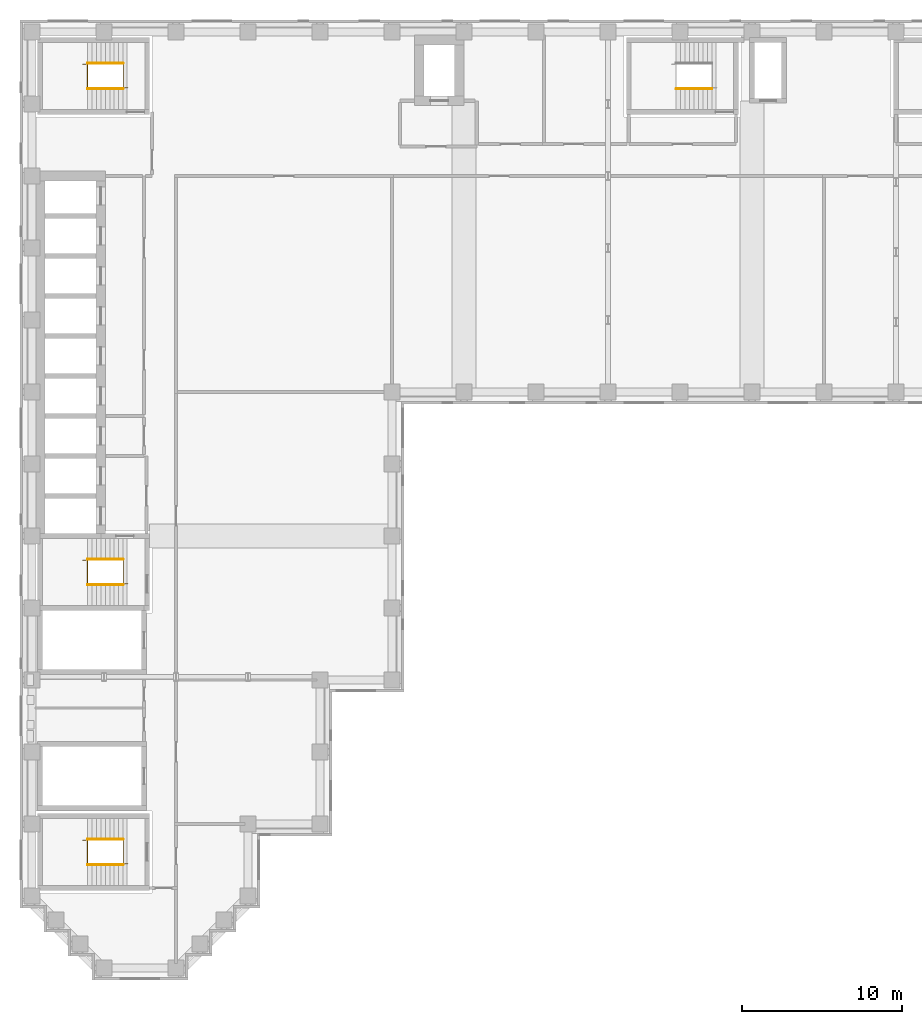
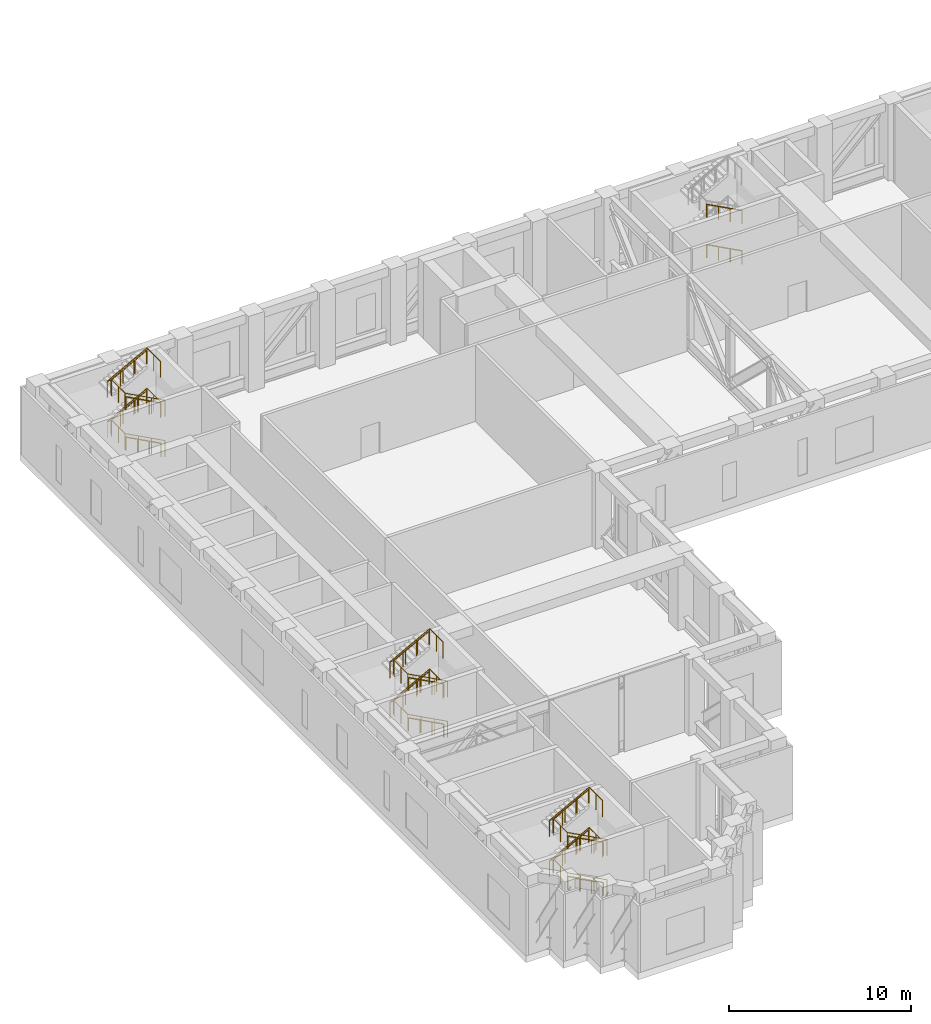
# One storey, part 12 of 14: 17 railings.
"""IFC4 building model written with IfcOpenShell, lengths in metres."""

from ifc_helpers import new_model, si_unit, direction, frame, origin, origin_2d, place, context, subcontext, project, spatial, circle, extrude, material, type_object, element, save


model = new_model("IFC4")

# Units and contexts
model_context = context("Model", 3, precision=1e-05, world=origin(), true_north=direction((0.0, 1.0)))
body_context = subcontext(model_context, "Body", "Model", "MODEL_VIEW")
ifc_project = project(units=[si_unit("LENGTHUNIT", "METRE"), si_unit("AREAUNIT", "SQUARE_METRE"), si_unit("VOLUMEUNIT", "CUBIC_METRE"), si_unit("PLANEANGLEUNIT", "RADIAN"), si_unit("MASSUNIT", "GRAM", prefix="KILO")], contexts=[model_context])

# Site, building, storey
site_placement = place(None, origin())
site = spatial("IfcSite", under=ifc_project, at=site_placement, CompositionType="ELEMENT")
building_placement = place(site_placement, origin())
building = spatial("IfcBuilding", under=site, at=building_placement, Name="Firuza Court", CompositionType="ELEMENT")
storey_placement = place(building_placement, frame((0.0, 0.0, 173.60009765625)))
storey = spatial("IfcBuildingStorey", under=building, at=storey_placement, Name="L44", CompositionType="ELEMENT", Elevation=173.60009765625)

# Railings
ifc_material_1 = material(Name="Steel S355", Category="steel")
railing_type_1 = type_object("IfcRailingType", Name="Handrail 900", PredefinedType="HANDRAIL", material=ifc_material_1)
for number, where, name in (
    (1, (42.5, 54.949951171875, 0.14990234375), "Handrail S1 flight 1"),
    (2, (42.5, 54.949951171875, 2.849853515625), "Handrail S1 flight 3"),
    (3, (5.699951171875, 23.949951171875, 0.14990234375), "Handrail S2 flight 1"),
):
    element("IfcRailing", number, at=place(storey_placement, frame(where)), inside=storey, type_object=railing_type_1, Name=name, PredefinedType="HANDRAIL", context=body_context, shape_type="SweptSolid", body=[
        extrude(circle(Radius=0.02490234375, at=origin_2d()), frame((0.0, 0.0, 0.875), z_axis=(-0.881487111273, 0.0, 0.472208081951), x_axis=(0.0, -1.0, 0.0)), (0.0, 0.0, 1.0), 2.541259765625),
        extrude(circle(Radius=0.02001953125, at=origin_2d()), origin(), (0.0, 0.0, 1.0), 0.849853515625),
        extrude(circle(Radius=0.02001953125, at=origin_2d()), frame((-0.74658203125, 0.0, 0.39990234375)), (0.0, 0.0, 1.0), 0.849853515625),
        extrude(circle(Radius=0.02001953125, at=origin_2d()), frame((-1.493408203125, 0.0, 0.800048828125)), (0.0, 0.0, 1.0), 0.849853515625),
        extrude(circle(Radius=0.02001953125, at=origin_2d()), frame((-2.239990234375, 0.0, 1.199951171875)), (0.0, 0.0, 1.0), 0.849853515625),
    ])
railing_1_placement = place(storey_placement, frame((3.4599609375, 25.550048828125, 1.5)))
element("IfcRailing", 4, at=railing_1_placement, inside=storey, type_object=railing_type_1, Name="Handrail S2 flight 2", PredefinedType="HANDRAIL", context=body_context, shape_type="SweptSolid", body=[
    extrude(circle(Radius=0.02490234375, at=origin_2d()), frame((0.0, 0.0, 0.875), z_axis=(0.881487111273, 0.0, 0.472208081951), x_axis=(0.0, 1.0, 0.0)), (0.0, 0.0, 1.0), 2.541259765625),
    extrude(circle(Radius=0.02001953125, at=origin_2d()), origin(), (0.0, 0.0, 1.0), 0.849853515625),
    extrude(circle(Radius=0.02001953125, at=origin_2d()), frame((0.74658203125, 0.0, 0.39990234375)), (0.0, 0.0, 1.0), 0.849853515625),
    extrude(circle(Radius=0.02001953125, at=origin_2d()), frame((1.493408203125, 0.0, 0.800048828125)), (0.0, 0.0, 1.0), 0.849853515625),
    extrude(circle(Radius=0.02001953125, at=origin_2d()), frame((2.239990234375, 0.0, 1.199951171875)), (0.0, 0.0, 1.0), 0.849853515625),
])
railing_2_placement = place(storey_placement, frame((5.699951171875, 23.949951171875, 2.849853515625)))
element("IfcRailing", 5, at=railing_2_placement, inside=storey, type_object=railing_type_1, Name="Handrail S2 flight 3", PredefinedType="HANDRAIL", context=body_context, shape_type="SweptSolid", body=[
    extrude(circle(Radius=0.02490234375, at=origin_2d()), frame((0.0, 0.0, 0.875), z_axis=(-0.881487111273, 0.0, 0.472208081951), x_axis=(0.0, -1.0, 0.0)), (0.0, 0.0, 1.0), 2.541259765625),
    extrude(circle(Radius=0.02001953125, at=origin_2d()), origin(), (0.0, 0.0, 1.0), 0.849853515625),
    extrude(circle(Radius=0.02001953125, at=origin_2d()), frame((-0.74658203125, 0.0, 0.39990234375)), (0.0, 0.0, 1.0), 0.849853515625),
    extrude(circle(Radius=0.02001953125, at=origin_2d()), frame((-1.493408203125, 0.0, 0.800048828125)), (0.0, 0.0, 1.0), 0.849853515625),
    extrude(circle(Radius=0.02001953125, at=origin_2d()), frame((-2.239990234375, 0.0, 1.199951171875)), (0.0, 0.0, 1.0), 0.849853515625),
])
railing_3_placement = place(storey_placement, frame((3.4599609375, 25.550048828125, 4.199951171875)))
element("IfcRailing", 6, at=railing_3_placement, inside=storey, type_object=railing_type_1, Name="Handrail S2 flight 4", PredefinedType="HANDRAIL", context=body_context, shape_type="SweptSolid", body=[
    extrude(circle(Radius=0.02490234375, at=origin_2d()), frame((0.0, 0.0, 0.875), z_axis=(0.881487111273, 0.0, 0.472208081951), x_axis=(0.0, 1.0, 0.0)), (0.0, 0.0, 1.0), 2.541259765625),
    extrude(circle(Radius=0.02001953125, at=origin_2d()), origin(), (0.0, 0.0, 1.0), 0.849853515625),
    extrude(circle(Radius=0.02001953125, at=origin_2d()), frame((0.74658203125, 0.0, 0.39990234375)), (0.0, 0.0, 1.0), 0.849853515625),
    extrude(circle(Radius=0.02001953125, at=origin_2d()), frame((1.493408203125, 0.0, 0.800048828125)), (0.0, 0.0, 1.0), 0.849853515625),
    extrude(circle(Radius=0.02001953125, at=origin_2d()), frame((2.239990234375, 0.0, 1.199951171875)), (0.0, 0.0, 1.0), 0.849853515625),
])
railing_4_placement = place(storey_placement, frame((5.699951171875, 54.949951171875, 0.14990234375)))
element("IfcRailing", 7, at=railing_4_placement, inside=storey, type_object=railing_type_1, Name="Handrail S3 flight 1", PredefinedType="HANDRAIL", context=body_context, shape_type="SweptSolid", body=[
    extrude(circle(Radius=0.02490234375, at=origin_2d()), frame((0.0, 0.0, 0.875), z_axis=(-0.881487111273, 0.0, 0.472208081951), x_axis=(0.0, -1.0, 0.0)), (0.0, 0.0, 1.0), 2.541259765625),
    extrude(circle(Radius=0.02001953125, at=origin_2d()), origin(), (0.0, 0.0, 1.0), 0.849853515625),
    extrude(circle(Radius=0.02001953125, at=origin_2d()), frame((-0.74658203125, 0.0, 0.39990234375)), (0.0, 0.0, 1.0), 0.849853515625),
    extrude(circle(Radius=0.02001953125, at=origin_2d()), frame((-1.493408203125, 0.0, 0.800048828125)), (0.0, 0.0, 1.0), 0.849853515625),
    extrude(circle(Radius=0.02001953125, at=origin_2d()), frame((-2.239990234375, 0.0, 1.199951171875)), (0.0, 0.0, 1.0), 0.849853515625),
])
railing_5_placement = place(storey_placement, frame((3.4599609375, 56.550048828125, 1.5)))
element("IfcRailing", 8, at=railing_5_placement, inside=storey, type_object=railing_type_1, Name="Handrail S3 flight 2", PredefinedType="HANDRAIL", context=body_context, shape_type="SweptSolid", body=[
    extrude(circle(Radius=0.02490234375, at=origin_2d()), frame((0.0, 0.0, 0.875), z_axis=(0.881487111273, 0.0, 0.472208081951), x_axis=(0.0, 1.0, 0.0)), (0.0, 0.0, 1.0), 2.541259765625),
    extrude(circle(Radius=0.02001953125, at=origin_2d()), origin(), (0.0, 0.0, 1.0), 0.849853515625),
    extrude(circle(Radius=0.02001953125, at=origin_2d()), frame((0.74658203125, 0.0, 0.39990234375)), (0.0, 0.0, 1.0), 0.849853515625),
    extrude(circle(Radius=0.02001953125, at=origin_2d()), frame((1.493408203125, 0.0, 0.800048828125)), (0.0, 0.0, 1.0), 0.849853515625),
    extrude(circle(Radius=0.02001953125, at=origin_2d()), frame((2.239990234375, 0.0, 1.199951171875)), (0.0, 0.0, 1.0), 0.849853515625),
])
railing_6_placement = place(storey_placement, frame((5.699951171875, 54.949951171875, 2.849853515625)))
element("IfcRailing", 9, at=railing_6_placement, inside=storey, type_object=railing_type_1, Name="Handrail S3 flight 3", PredefinedType="HANDRAIL", context=body_context, shape_type="SweptSolid", body=[
    extrude(circle(Radius=0.02490234375, at=origin_2d()), frame((0.0, 0.0, 0.875), z_axis=(-0.881487111273, 0.0, 0.472208081951), x_axis=(0.0, -1.0, 0.0)), (0.0, 0.0, 1.0), 2.541259765625),
    extrude(circle(Radius=0.02001953125, at=origin_2d()), origin(), (0.0, 0.0, 1.0), 0.849853515625),
    extrude(circle(Radius=0.02001953125, at=origin_2d()), frame((-0.74658203125, 0.0, 0.39990234375)), (0.0, 0.0, 1.0), 0.849853515625),
    extrude(circle(Radius=0.02001953125, at=origin_2d()), frame((-1.493408203125, 0.0, 0.800048828125)), (0.0, 0.0, 1.0), 0.849853515625),
    extrude(circle(Radius=0.02001953125, at=origin_2d()), frame((-2.239990234375, 0.0, 1.199951171875)), (0.0, 0.0, 1.0), 0.849853515625),
])
railing_7_placement = place(storey_placement, frame((3.4599609375, 56.550048828125, 4.199951171875)))
element("IfcRailing", 10, at=railing_7_placement, inside=storey, type_object=railing_type_1, Name="Handrail S3 flight 4", PredefinedType="HANDRAIL", context=body_context, shape_type="SweptSolid", body=[
    extrude(circle(Radius=0.02490234375, at=origin_2d()), frame((0.0, 0.0, 0.875), z_axis=(0.881487111273, 0.0, 0.472208081951), x_axis=(0.0, 1.0, 0.0)), (0.0, 0.0, 1.0), 2.541259765625),
    extrude(circle(Radius=0.02001953125, at=origin_2d()), origin(), (0.0, 0.0, 1.0), 0.849853515625),
    extrude(circle(Radius=0.02001953125, at=origin_2d()), frame((0.74658203125, 0.0, 0.39990234375)), (0.0, 0.0, 1.0), 0.849853515625),
    extrude(circle(Radius=0.02001953125, at=origin_2d()), frame((1.493408203125, 0.0, 0.800048828125)), (0.0, 0.0, 1.0), 0.849853515625),
    extrude(circle(Radius=0.02001953125, at=origin_2d()), frame((2.239990234375, 0.0, 1.199951171875)), (0.0, 0.0, 1.0), 0.849853515625),
])
railing_8_placement = place(storey_placement, frame((5.699951171875, 6.449951171875, 0.14990234375)))
element("IfcRailing", 11, at=railing_8_placement, inside=storey, type_object=railing_type_1, Name="Handrail S5 flight 1", PredefinedType="HANDRAIL", context=body_context, shape_type="SweptSolid", body=[
    extrude(circle(Radius=0.02490234375, at=origin_2d()), frame((0.0, 0.0, 0.875), z_axis=(-0.881487111273, 0.0, 0.472208081951), x_axis=(0.0, -1.0, 0.0)), (0.0, 0.0, 1.0), 2.541259765625),
    extrude(circle(Radius=0.02001953125, at=origin_2d()), origin(), (0.0, 0.0, 1.0), 0.849853515625),
    extrude(circle(Radius=0.02001953125, at=origin_2d()), frame((-0.74658203125, 0.0, 0.39990234375)), (0.0, 0.0, 1.0), 0.849853515625),
    extrude(circle(Radius=0.02001953125, at=origin_2d()), frame((-1.493408203125, 0.0, 0.800048828125)), (0.0, 0.0, 1.0), 0.849853515625),
    extrude(circle(Radius=0.02001953125, at=origin_2d()), frame((-2.239990234375, 0.0, 1.199951171875)), (0.0, 0.0, 1.0), 0.849853515625),
])
railing_9_placement = place(storey_placement, frame((3.4599609375, 8.050048828125, 1.5)))
element("IfcRailing", 12, at=railing_9_placement, inside=storey, type_object=railing_type_1, Name="Handrail S5 flight 2", PredefinedType="HANDRAIL", context=body_context, shape_type="SweptSolid", body=[
    extrude(circle(Radius=0.02490234375, at=origin_2d()), frame((0.0, 0.0, 0.875), z_axis=(0.881487111273, 0.0, 0.472208081951), x_axis=(0.0, 1.0, 0.0)), (0.0, 0.0, 1.0), 2.541259765625),
    extrude(circle(Radius=0.02001953125, at=origin_2d()), origin(), (0.0, 0.0, 1.0), 0.849853515625),
    extrude(circle(Radius=0.02001953125, at=origin_2d()), frame((0.74658203125, 0.0, 0.39990234375)), (0.0, 0.0, 1.0), 0.849853515625),
    extrude(circle(Radius=0.02001953125, at=origin_2d()), frame((1.493408203125, 0.0, 0.800048828125)), (0.0, 0.0, 1.0), 0.849853515625),
    extrude(circle(Radius=0.02001953125, at=origin_2d()), frame((2.239990234375, 0.0, 1.199951171875)), (0.0, 0.0, 1.0), 0.849853515625),
])
railing_10_placement = place(storey_placement, frame((5.699951171875, 6.449951171875, 2.849853515625)))
element("IfcRailing", 13, at=railing_10_placement, inside=storey, type_object=railing_type_1, Name="Handrail S5 flight 3", PredefinedType="HANDRAIL", context=body_context, shape_type="SweptSolid", body=[
    extrude(circle(Radius=0.02490234375, at=origin_2d()), frame((0.0, 0.0, 0.875), z_axis=(-0.881487111273, 0.0, 0.472208081951), x_axis=(0.0, -1.0, 0.0)), (0.0, 0.0, 1.0), 2.541259765625),
    extrude(circle(Radius=0.02001953125, at=origin_2d()), origin(), (0.0, 0.0, 1.0), 0.849853515625),
    extrude(circle(Radius=0.02001953125, at=origin_2d()), frame((-0.74658203125, 0.0, 0.39990234375)), (0.0, 0.0, 1.0), 0.849853515625),
    extrude(circle(Radius=0.02001953125, at=origin_2d()), frame((-1.493408203125, 0.0, 0.800048828125)), (0.0, 0.0, 1.0), 0.849853515625),
    extrude(circle(Radius=0.02001953125, at=origin_2d()), frame((-2.239990234375, 0.0, 1.199951171875)), (0.0, 0.0, 1.0), 0.849853515625),
])
railing_11_placement = place(storey_placement, frame((3.4599609375, 8.050048828125, 4.199951171875)))
element("IfcRailing", 14, at=railing_11_placement, inside=storey, type_object=railing_type_1, Name="Handrail S5 flight 4", PredefinedType="HANDRAIL", context=body_context, shape_type="SweptSolid", body=[
    extrude(circle(Radius=0.02490234375, at=origin_2d()), frame((0.0, 0.0, 0.875), z_axis=(0.881487111273, 0.0, 0.472208081951), x_axis=(0.0, 1.0, 0.0)), (0.0, 0.0, 1.0), 2.541259765625),
    extrude(circle(Radius=0.02001953125, at=origin_2d()), origin(), (0.0, 0.0, 1.0), 0.849853515625),
    extrude(circle(Radius=0.02001953125, at=origin_2d()), frame((0.74658203125, 0.0, 0.39990234375)), (0.0, 0.0, 1.0), 0.849853515625),
    extrude(circle(Radius=0.02001953125, at=origin_2d()), frame((1.493408203125, 0.0, 0.800048828125)), (0.0, 0.0, 1.0), 0.849853515625),
    extrude(circle(Radius=0.02001953125, at=origin_2d()), frame((2.239990234375, 0.0, 1.199951171875)), (0.0, 0.0, 1.0), 0.849853515625),
])
ifc_material_2 = material(Name="Steel S355", Category="steel")
railing_type_2 = type_object("IfcRailingType", Name="Stair guard 1100", PredefinedType="GUARDRAIL", material=ifc_material_2)
railing_12_placement = place(storey_placement, frame((5.97998046875, 24.010009765625, 0.0)))
element("IfcRailing", 15, at=railing_12_placement, inside=storey, type_object=railing_type_2, Name="Stair well guard S2", PredefinedType="GUARDRAIL", context=body_context, shape_type="SweptSolid", body=[
    extrude(circle(Radius=0.02490234375, at=origin_2d()), frame((0.0, 0.0, 1.0751953125), z_axis=(-0.88150282143, 0.0, 0.472178754087), x_axis=(0.0, -1.0, 0.0)), (0.0, 0.0, 1.0), 2.85888671875),
    extrude(circle(Radius=0.02490234375, at=origin_2d()), frame((-2.52001953125, 0.0, 2.4248046875), z_axis=(0.0, 1.0, 0.0), x_axis=(-1.0, 0.0, 0.0)), (0.0, 0.0, 1.0), 1.47998046875),
    extrude(circle(Radius=0.02490234375, at=origin_2d()), frame((-2.52001953125, 1.47998046875, 2.4248046875), z_axis=(-1.0, 0.0, 0.0), x_axis=(0.0, -1.0, 0.0)), (0.0, 0.0, 1.0), 0.280029296875),
    extrude(circle(Radius=0.02490234375, at=origin_2d()), frame((-2.800048828125, 1.47998046875, 2.4248046875), z_axis=(0.881467274426, 0.0, 0.472245110209), x_axis=(0.0, 1.0, 0.0)), (0.0, 0.0, 1.0), 2.85888671875),
    extrude(circle(Radius=0.02490234375, at=origin_2d()), frame((-0.280029296875, 1.47998046875, 3.77490234375), z_axis=(0.0, -1.0, 0.0), x_axis=(1.0, 0.0, 0.0)), (0.0, 0.0, 1.0), 1.47998046875),
    extrude(circle(Radius=0.02490234375, at=origin_2d()), frame((-0.280029296875, 0.0, 3.77490234375), z_axis=(1.0, 0.0, 0.0), x_axis=(0.0, 1.0, 0.0)), (0.0, 0.0, 1.0), 0.280029296875),
    extrude(circle(Radius=0.02490234375, at=origin_2d()), frame((0.0, 0.0, 3.77490234375), z_axis=(-0.88150282143, 0.0, 0.472178754087), x_axis=(0.0, -1.0, 0.0)), (0.0, 0.0, 1.0), 2.85888671875),
    extrude(circle(Radius=0.02490234375, at=origin_2d()), frame((-2.52001953125, 0.0, 5.125), z_axis=(0.0, 1.0, 0.0), x_axis=(-1.0, 0.0, 0.0)), (0.0, 0.0, 1.0), 1.47998046875),
    extrude(circle(Radius=0.02490234375, at=origin_2d()), frame((-2.52001953125, 1.47998046875, 5.125), z_axis=(-1.0, 0.0, 0.0), x_axis=(0.0, -1.0, 0.0)), (0.0, 0.0, 1.0), 0.280029296875),
    extrude(circle(Radius=0.02490234375, at=origin_2d()), frame((-2.800048828125, 1.47998046875, 5.125), z_axis=(0.881467274426, 0.0, 0.472245110209), x_axis=(0.0, 1.0, 0.0)), (0.0, 0.0, 1.0), 2.85888671875),
    extrude(circle(Radius=0.02490234375, at=origin_2d()), frame((-0.280029296875, 1.47998046875, 6.47509765625), z_axis=(0.0, -1.0, 0.0), x_axis=(1.0, 0.0, 0.0)), (0.0, 0.0, 1.0), 1.47998046875),
    extrude(circle(Radius=0.02490234375, at=origin_2d()), origin(), (0.0, 0.0, 1.0), 1.050048828125),
    extrude(circle(Radius=0.02490234375, at=origin_2d()), frame((-0.840087890625, 0.0, 0.449951171875)), (0.0, 0.0, 1.0), 1.050048828125),
    extrude(circle(Radius=0.02490234375, at=origin_2d()), frame((-1.679931640625, 0.0, 0.89990234375)), (0.0, 0.0, 1.0), 1.050048828125),
    extrude(circle(Radius=0.02490234375, at=origin_2d()), frame((-2.52001953125, 0.0, 1.349853515625)), (0.0, 0.0, 1.0), 1.050048828125),
    extrude(circle(Radius=0.02490234375, at=origin_2d()), frame((-2.52001953125, 0.739990234375, 1.349853515625)), (0.0, 0.0, 1.0), 1.050048828125),
    extrude(circle(Radius=0.02490234375, at=origin_2d()), frame((-2.52001953125, 1.47998046875, 1.349853515625)), (0.0, 0.0, 1.0), 1.050048828125),
    extrude(circle(Radius=0.02490234375, at=origin_2d()), frame((-2.800048828125, 1.47998046875, 1.349853515625)), (0.0, 0.0, 1.0), 1.050048828125),
    extrude(circle(Radius=0.02490234375, at=origin_2d()), frame((-1.9599609375, 1.47998046875, 1.7998046875)), (0.0, 0.0, 1.0), 1.050048828125),
    extrude(circle(Radius=0.02490234375, at=origin_2d()), frame((-1.1201171875, 1.47998046875, 2.25)), (0.0, 0.0, 1.0), 1.050048828125),
    extrude(circle(Radius=0.02490234375, at=origin_2d()), frame((-0.280029296875, 1.47998046875, 2.699951171875)), (0.0, 0.0, 1.0), 1.050048828125),
    extrude(circle(Radius=0.02490234375, at=origin_2d()), frame((-0.280029296875, 0.739990234375, 2.699951171875)), (0.0, 0.0, 1.0), 1.050048828125),
    extrude(circle(Radius=0.02490234375, at=origin_2d()), frame((-0.280029296875, 0.0, 2.699951171875)), (0.0, 0.0, 1.0), 1.050048828125),
    extrude(circle(Radius=0.02490234375, at=origin_2d()), frame((0.0, 0.0, 2.699951171875)), (0.0, 0.0, 1.0), 1.050048828125),
    extrude(circle(Radius=0.02490234375, at=origin_2d()), frame((-0.840087890625, 0.0, 3.14990234375)), (0.0, 0.0, 1.0), 1.050048828125),
    extrude(circle(Radius=0.02490234375, at=origin_2d()), frame((-1.679931640625, 0.0, 3.599853515625)), (0.0, 0.0, 1.0), 1.050048828125),
    extrude(circle(Radius=0.02490234375, at=origin_2d()), frame((-2.52001953125, 0.0, 4.0498046875)), (0.0, 0.0, 1.0), 1.050048828125),
    extrude(circle(Radius=0.02490234375, at=origin_2d()), frame((-2.52001953125, 0.739990234375, 4.0498046875)), (0.0, 0.0, 1.0), 1.050048828125),
    extrude(circle(Radius=0.02490234375, at=origin_2d()), frame((-2.52001953125, 1.47998046875, 4.0498046875)), (0.0, 0.0, 1.0), 1.050048828125),
    extrude(circle(Radius=0.02490234375, at=origin_2d()), frame((-2.800048828125, 1.47998046875, 4.0498046875)), (0.0, 0.0, 1.0), 1.050048828125),
    extrude(circle(Radius=0.02490234375, at=origin_2d()), frame((-1.9599609375, 1.47998046875, 4.499755859375)), (0.0, 0.0, 1.0), 1.050048828125),
    extrude(circle(Radius=0.02490234375, at=origin_2d()), frame((-1.1201171875, 1.47998046875, 4.949951171875)), (0.0, 0.0, 1.0), 1.050048828125),
    extrude(circle(Radius=0.02490234375, at=origin_2d()), frame((-0.280029296875, 1.47998046875, 5.39990234375)), (0.0, 0.0, 1.0), 1.050048828125),
    extrude(circle(Radius=0.02490234375, at=origin_2d()), frame((-0.280029296875, 0.739990234375, 5.39990234375)), (0.0, 0.0, 1.0), 1.050048828125),
    extrude(circle(Radius=0.02490234375, at=origin_2d()), frame((-0.280029296875, 0.0, 5.39990234375)), (0.0, 0.0, 1.0), 1.050048828125),
])
railing_13_placement = place(storey_placement, frame((5.97998046875, 55.010009765625, 0.0)))
element("IfcRailing", 16, at=railing_13_placement, inside=storey, type_object=railing_type_2, Name="Stair well guard S3", PredefinedType="GUARDRAIL", context=body_context, shape_type="SweptSolid", body=[
    extrude(circle(Radius=0.02490234375, at=origin_2d()), frame((0.0, 0.0, 1.0751953125), z_axis=(-0.88150282143, 0.0, 0.472178754087), x_axis=(0.0, -1.0, 0.0)), (0.0, 0.0, 1.0), 2.85888671875),
    extrude(circle(Radius=0.02490234375, at=origin_2d()), frame((-2.52001953125, 0.0, 2.4248046875), z_axis=(0.0, 1.0, 0.0), x_axis=(-1.0, 0.0, 0.0)), (0.0, 0.0, 1.0), 1.47998046875),
    extrude(circle(Radius=0.02490234375, at=origin_2d()), frame((-2.52001953125, 1.47998046875, 2.4248046875), z_axis=(-1.0, 0.0, 0.0), x_axis=(0.0, -1.0, 0.0)), (0.0, 0.0, 1.0), 0.280029296875),
    extrude(circle(Radius=0.02490234375, at=origin_2d()), frame((-2.800048828125, 1.47998046875, 2.4248046875), z_axis=(0.881467274426, 0.0, 0.472245110209), x_axis=(0.0, 1.0, 0.0)), (0.0, 0.0, 1.0), 2.85888671875),
    extrude(circle(Radius=0.02490234375, at=origin_2d()), frame((-0.280029296875, 1.47998046875, 3.77490234375), z_axis=(0.0, -1.0, 0.0), x_axis=(1.0, 0.0, 0.0)), (0.0, 0.0, 1.0), 1.47998046875),
    extrude(circle(Radius=0.02490234375, at=origin_2d()), frame((-0.280029296875, 0.0, 3.77490234375), z_axis=(1.0, 0.0, 0.0), x_axis=(0.0, 1.0, 0.0)), (0.0, 0.0, 1.0), 0.280029296875),
    extrude(circle(Radius=0.02490234375, at=origin_2d()), frame((0.0, 0.0, 3.77490234375), z_axis=(-0.88150282143, 0.0, 0.472178754087), x_axis=(0.0, -1.0, 0.0)), (0.0, 0.0, 1.0), 2.85888671875),
    extrude(circle(Radius=0.02490234375, at=origin_2d()), frame((-2.52001953125, 0.0, 5.125), z_axis=(0.0, 1.0, 0.0), x_axis=(-1.0, 0.0, 0.0)), (0.0, 0.0, 1.0), 1.47998046875),
    extrude(circle(Radius=0.02490234375, at=origin_2d()), frame((-2.52001953125, 1.47998046875, 5.125), z_axis=(-1.0, 0.0, 0.0), x_axis=(0.0, -1.0, 0.0)), (0.0, 0.0, 1.0), 0.280029296875),
    extrude(circle(Radius=0.02490234375, at=origin_2d()), frame((-2.800048828125, 1.47998046875, 5.125), z_axis=(0.881467274426, 0.0, 0.472245110209), x_axis=(0.0, 1.0, 0.0)), (0.0, 0.0, 1.0), 2.85888671875),
    extrude(circle(Radius=0.02490234375, at=origin_2d()), frame((-0.280029296875, 1.47998046875, 6.47509765625), z_axis=(0.0, -1.0, 0.0), x_axis=(1.0, 0.0, 0.0)), (0.0, 0.0, 1.0), 1.47998046875),
    extrude(circle(Radius=0.02490234375, at=origin_2d()), origin(), (0.0, 0.0, 1.0), 1.050048828125),
    extrude(circle(Radius=0.02490234375, at=origin_2d()), frame((-0.840087890625, 0.0, 0.449951171875)), (0.0, 0.0, 1.0), 1.050048828125),
    extrude(circle(Radius=0.02490234375, at=origin_2d()), frame((-1.679931640625, 0.0, 0.89990234375)), (0.0, 0.0, 1.0), 1.050048828125),
    extrude(circle(Radius=0.02490234375, at=origin_2d()), frame((-2.52001953125, 0.0, 1.349853515625)), (0.0, 0.0, 1.0), 1.050048828125),
    extrude(circle(Radius=0.02490234375, at=origin_2d()), frame((-2.52001953125, 0.739990234375, 1.349853515625)), (0.0, 0.0, 1.0), 1.050048828125),
    extrude(circle(Radius=0.02490234375, at=origin_2d()), frame((-2.52001953125, 1.47998046875, 1.349853515625)), (0.0, 0.0, 1.0), 1.050048828125),
    extrude(circle(Radius=0.02490234375, at=origin_2d()), frame((-2.800048828125, 1.47998046875, 1.349853515625)), (0.0, 0.0, 1.0), 1.050048828125),
    extrude(circle(Radius=0.02490234375, at=origin_2d()), frame((-1.9599609375, 1.47998046875, 1.7998046875)), (0.0, 0.0, 1.0), 1.050048828125),
    extrude(circle(Radius=0.02490234375, at=origin_2d()), frame((-1.1201171875, 1.47998046875, 2.25)), (0.0, 0.0, 1.0), 1.050048828125),
    extrude(circle(Radius=0.02490234375, at=origin_2d()), frame((-0.280029296875, 1.47998046875, 2.699951171875)), (0.0, 0.0, 1.0), 1.050048828125),
    extrude(circle(Radius=0.02490234375, at=origin_2d()), frame((-0.280029296875, 0.739990234375, 2.699951171875)), (0.0, 0.0, 1.0), 1.050048828125),
    extrude(circle(Radius=0.02490234375, at=origin_2d()), frame((-0.280029296875, 0.0, 2.699951171875)), (0.0, 0.0, 1.0), 1.050048828125),
    extrude(circle(Radius=0.02490234375, at=origin_2d()), frame((0.0, 0.0, 2.699951171875)), (0.0, 0.0, 1.0), 1.050048828125),
    extrude(circle(Radius=0.02490234375, at=origin_2d()), frame((-0.840087890625, 0.0, 3.14990234375)), (0.0, 0.0, 1.0), 1.050048828125),
    extrude(circle(Radius=0.02490234375, at=origin_2d()), frame((-1.679931640625, 0.0, 3.599853515625)), (0.0, 0.0, 1.0), 1.050048828125),
    extrude(circle(Radius=0.02490234375, at=origin_2d()), frame((-2.52001953125, 0.0, 4.0498046875)), (0.0, 0.0, 1.0), 1.050048828125),
    extrude(circle(Radius=0.02490234375, at=origin_2d()), frame((-2.52001953125, 0.739990234375, 4.0498046875)), (0.0, 0.0, 1.0), 1.050048828125),
    extrude(circle(Radius=0.02490234375, at=origin_2d()), frame((-2.52001953125, 1.47998046875, 4.0498046875)), (0.0, 0.0, 1.0), 1.050048828125),
    extrude(circle(Radius=0.02490234375, at=origin_2d()), frame((-2.800048828125, 1.47998046875, 4.0498046875)), (0.0, 0.0, 1.0), 1.050048828125),
    extrude(circle(Radius=0.02490234375, at=origin_2d()), frame((-1.9599609375, 1.47998046875, 4.499755859375)), (0.0, 0.0, 1.0), 1.050048828125),
    extrude(circle(Radius=0.02490234375, at=origin_2d()), frame((-1.1201171875, 1.47998046875, 4.949951171875)), (0.0, 0.0, 1.0), 1.050048828125),
    extrude(circle(Radius=0.02490234375, at=origin_2d()), frame((-0.280029296875, 1.47998046875, 5.39990234375)), (0.0, 0.0, 1.0), 1.050048828125),
    extrude(circle(Radius=0.02490234375, at=origin_2d()), frame((-0.280029296875, 0.739990234375, 5.39990234375)), (0.0, 0.0, 1.0), 1.050048828125),
    extrude(circle(Radius=0.02490234375, at=origin_2d()), frame((-0.280029296875, 0.0, 5.39990234375)), (0.0, 0.0, 1.0), 1.050048828125),
])
railing_14_placement = place(storey_placement, frame((5.97998046875, 6.510009765625, 0.0)))
element("IfcRailing", 17, at=railing_14_placement, inside=storey, type_object=railing_type_2, Name="Stair well guard S5", PredefinedType="GUARDRAIL", context=body_context, shape_type="SweptSolid", body=[
    extrude(circle(Radius=0.02490234375, at=origin_2d()), frame((0.0, 0.0, 1.0751953125), z_axis=(-0.88150282143, 0.0, 0.472178754087), x_axis=(0.0, -1.0, 0.0)), (0.0, 0.0, 1.0), 2.85888671875),
    extrude(circle(Radius=0.02490234375, at=origin_2d()), frame((-2.52001953125, 0.0, 2.4248046875), z_axis=(0.0, 1.0, 0.0), x_axis=(-1.0, 0.0, 0.0)), (0.0, 0.0, 1.0), 1.47998046875),
    extrude(circle(Radius=0.02490234375, at=origin_2d()), frame((-2.52001953125, 1.47998046875, 2.4248046875), z_axis=(-1.0, 0.0, 0.0), x_axis=(0.0, -1.0, 0.0)), (0.0, 0.0, 1.0), 0.280029296875),
    extrude(circle(Radius=0.02490234375, at=origin_2d()), frame((-2.800048828125, 1.47998046875, 2.4248046875), z_axis=(0.881467274426, 0.0, 0.472245110209), x_axis=(0.0, 1.0, 0.0)), (0.0, 0.0, 1.0), 2.85888671875),
    extrude(circle(Radius=0.02490234375, at=origin_2d()), frame((-0.280029296875, 1.47998046875, 3.77490234375), z_axis=(0.0, -1.0, 0.0), x_axis=(1.0, 0.0, 0.0)), (0.0, 0.0, 1.0), 1.47998046875),
    extrude(circle(Radius=0.02490234375, at=origin_2d()), frame((-0.280029296875, 0.0, 3.77490234375), z_axis=(1.0, 0.0, 0.0), x_axis=(0.0, 1.0, 0.0)), (0.0, 0.0, 1.0), 0.280029296875),
    extrude(circle(Radius=0.02490234375, at=origin_2d()), frame((0.0, 0.0, 3.77490234375), z_axis=(-0.88150282143, 0.0, 0.472178754087), x_axis=(0.0, -1.0, 0.0)), (0.0, 0.0, 1.0), 2.85888671875),
    extrude(circle(Radius=0.02490234375, at=origin_2d()), frame((-2.52001953125, 0.0, 5.125), z_axis=(0.0, 1.0, 0.0), x_axis=(-1.0, 0.0, 0.0)), (0.0, 0.0, 1.0), 1.47998046875),
    extrude(circle(Radius=0.02490234375, at=origin_2d()), frame((-2.52001953125, 1.47998046875, 5.125), z_axis=(-1.0, 0.0, 0.0), x_axis=(0.0, -1.0, 0.0)), (0.0, 0.0, 1.0), 0.280029296875),
    extrude(circle(Radius=0.02490234375, at=origin_2d()), frame((-2.800048828125, 1.47998046875, 5.125), z_axis=(0.881467274426, 0.0, 0.472245110209), x_axis=(0.0, 1.0, 0.0)), (0.0, 0.0, 1.0), 2.85888671875),
    extrude(circle(Radius=0.02490234375, at=origin_2d()), frame((-0.280029296875, 1.47998046875, 6.47509765625), z_axis=(0.0, -1.0, 0.0), x_axis=(1.0, 0.0, 0.0)), (0.0, 0.0, 1.0), 1.47998046875),
    extrude(circle(Radius=0.02490234375, at=origin_2d()), origin(), (0.0, 0.0, 1.0), 1.050048828125),
    extrude(circle(Radius=0.02490234375, at=origin_2d()), frame((-0.840087890625, 0.0, 0.449951171875)), (0.0, 0.0, 1.0), 1.050048828125),
    extrude(circle(Radius=0.02490234375, at=origin_2d()), frame((-1.679931640625, 0.0, 0.89990234375)), (0.0, 0.0, 1.0), 1.050048828125),
    extrude(circle(Radius=0.02490234375, at=origin_2d()), frame((-2.52001953125, 0.0, 1.349853515625)), (0.0, 0.0, 1.0), 1.050048828125),
    extrude(circle(Radius=0.02490234375, at=origin_2d()), frame((-2.52001953125, 0.739990234375, 1.349853515625)), (0.0, 0.0, 1.0), 1.050048828125),
    extrude(circle(Radius=0.02490234375, at=origin_2d()), frame((-2.52001953125, 1.47998046875, 1.349853515625)), (0.0, 0.0, 1.0), 1.050048828125),
    extrude(circle(Radius=0.02490234375, at=origin_2d()), frame((-2.800048828125, 1.47998046875, 1.349853515625)), (0.0, 0.0, 1.0), 1.050048828125),
    extrude(circle(Radius=0.02490234375, at=origin_2d()), frame((-1.9599609375, 1.47998046875, 1.7998046875)), (0.0, 0.0, 1.0), 1.050048828125),
    extrude(circle(Radius=0.02490234375, at=origin_2d()), frame((-1.1201171875, 1.47998046875, 2.25)), (0.0, 0.0, 1.0), 1.050048828125),
    extrude(circle(Radius=0.02490234375, at=origin_2d()), frame((-0.280029296875, 1.47998046875, 2.699951171875)), (0.0, 0.0, 1.0), 1.050048828125),
    extrude(circle(Radius=0.02490234375, at=origin_2d()), frame((-0.280029296875, 0.739990234375, 2.699951171875)), (0.0, 0.0, 1.0), 1.050048828125),
    extrude(circle(Radius=0.02490234375, at=origin_2d()), frame((-0.280029296875, 0.0, 2.699951171875)), (0.0, 0.0, 1.0), 1.050048828125),
    extrude(circle(Radius=0.02490234375, at=origin_2d()), frame((0.0, 0.0, 2.699951171875)), (0.0, 0.0, 1.0), 1.050048828125),
    extrude(circle(Radius=0.02490234375, at=origin_2d()), frame((-0.840087890625, 0.0, 3.14990234375)), (0.0, 0.0, 1.0), 1.050048828125),
    extrude(circle(Radius=0.02490234375, at=origin_2d()), frame((-1.679931640625, 0.0, 3.599853515625)), (0.0, 0.0, 1.0), 1.050048828125),
    extrude(circle(Radius=0.02490234375, at=origin_2d()), frame((-2.52001953125, 0.0, 4.0498046875)), (0.0, 0.0, 1.0), 1.050048828125),
    extrude(circle(Radius=0.02490234375, at=origin_2d()), frame((-2.52001953125, 0.739990234375, 4.0498046875)), (0.0, 0.0, 1.0), 1.050048828125),
    extrude(circle(Radius=0.02490234375, at=origin_2d()), frame((-2.52001953125, 1.47998046875, 4.0498046875)), (0.0, 0.0, 1.0), 1.050048828125),
    extrude(circle(Radius=0.02490234375, at=origin_2d()), frame((-2.800048828125, 1.47998046875, 4.0498046875)), (0.0, 0.0, 1.0), 1.050048828125),
    extrude(circle(Radius=0.02490234375, at=origin_2d()), frame((-1.9599609375, 1.47998046875, 4.499755859375)), (0.0, 0.0, 1.0), 1.050048828125),
    extrude(circle(Radius=0.02490234375, at=origin_2d()), frame((-1.1201171875, 1.47998046875, 4.949951171875)), (0.0, 0.0, 1.0), 1.050048828125),
    extrude(circle(Radius=0.02490234375, at=origin_2d()), frame((-0.280029296875, 1.47998046875, 5.39990234375)), (0.0, 0.0, 1.0), 1.050048828125),
    extrude(circle(Radius=0.02490234375, at=origin_2d()), frame((-0.280029296875, 0.739990234375, 5.39990234375)), (0.0, 0.0, 1.0), 1.050048828125),
    extrude(circle(Radius=0.02490234375, at=origin_2d()), frame((-0.280029296875, 0.0, 5.39990234375)), (0.0, 0.0, 1.0), 1.050048828125),
])

save(model, "model.ifc")
